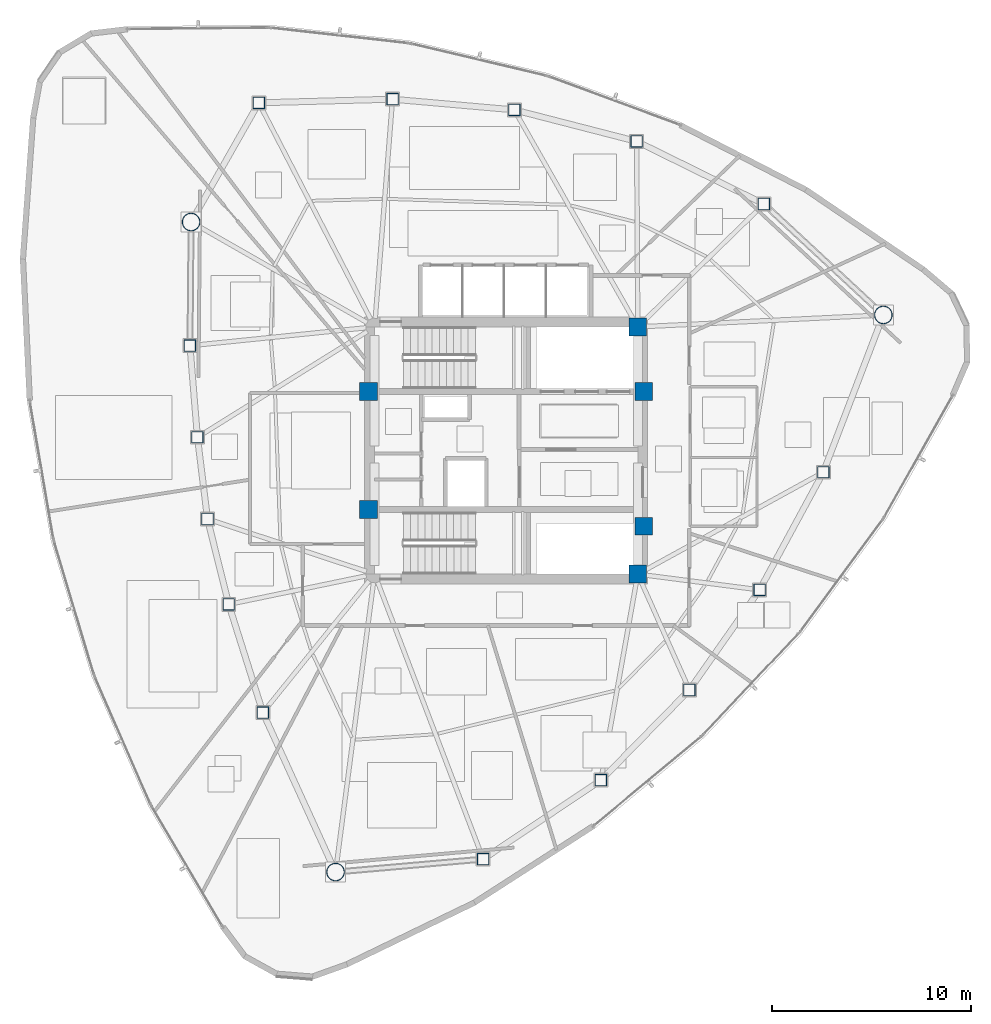
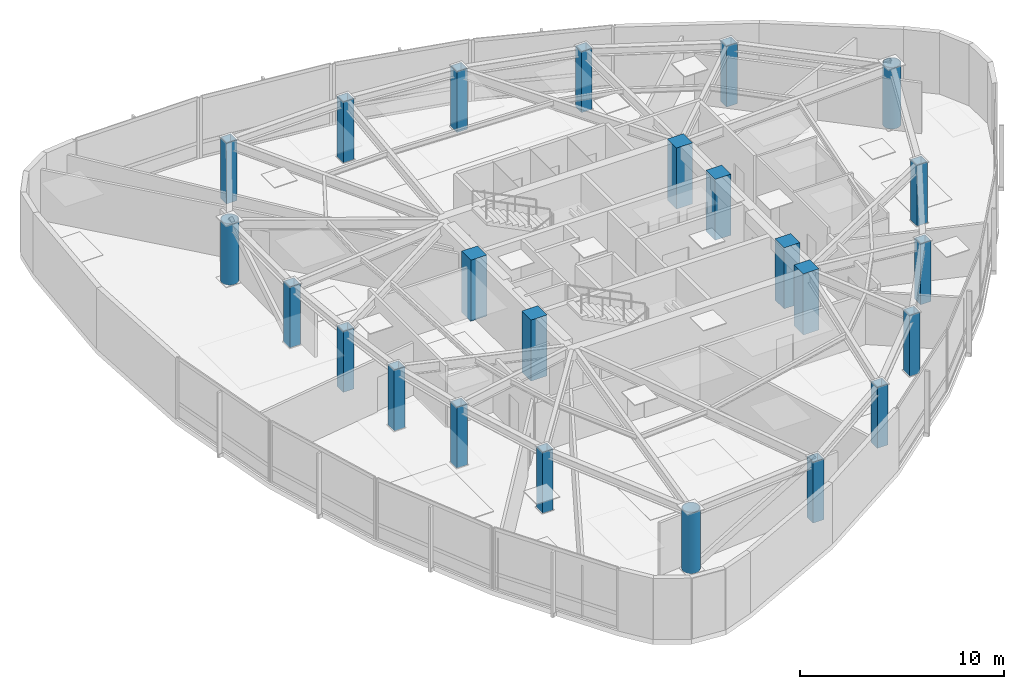
# One storey, part 1 of 15: 24 columns.
"""IFC4 building model written with IfcOpenShell, lengths in metres."""

from ifc_helpers import new_model, si_unit, direction, frame, origin, origin_2d, place, context, subcontext, project, spatial, rectangle, hollow_rectangle, hollow_circle, extrude, material, material_profile, profile_set, type_object, element, save


model = new_model("IFC4")

# Units and contexts
model_context = context("Model", 3, precision=1e-05, world=origin(), true_north=direction((0.0, 1.0)))
body_context = subcontext(model_context, "Body", "Model", "MODEL_VIEW")
ifc_project = project(units=[si_unit("LENGTHUNIT", "METRE"), si_unit("AREAUNIT", "SQUARE_METRE"), si_unit("VOLUMEUNIT", "CUBIC_METRE"), si_unit("PLANEANGLEUNIT", "RADIAN"), si_unit("MASSUNIT", "GRAM", prefix="KILO")], contexts=[model_context])

# Site, building, storey
site_placement = place(None, origin())
site = spatial("IfcSite", under=ifc_project, at=site_placement, CompositionType="ELEMENT")
building_placement = place(site_placement, origin())
building = spatial("IfcBuilding", under=site, at=building_placement, Name="Tavelor Broadcast Tower", CompositionType="ELEMENT")
storey_placement = place(building_placement, frame((0.0, 0.0, 222.14990234375)))
storey = spatial("IfcBuildingStorey", under=building, at=storey_placement, Name="L52", CompositionType="ELEMENT", Elevation=222.14990234375)

# Columns
ifc_material_1 = material(Name="Concrete C50/60", Category="concrete")
ifc_material_profile_1 = material_profile(ifc_material_1, rectangle(XDim=0.89990234375, YDim=0.89990234375, at=origin_2d()), Name="RC 900x900")
ifc_profile_set_1 = profile_set([ifc_material_profile_1], Name="Concrete C50/60")
column_type_1 = type_object("IfcColumnType", Name="Core Embedded Composite Column RC900", PredefinedType="COLUMN", material=ifc_profile_set_1)
for number, where, z_axis, x_axis, name in (
    (1, (43.10009765625, 47.949951171875, 0.0), (0.0, 0.0, 1.0), (1.0, 0.0, 0.0), "L52 Core Embedded Column 1"),
    (2, (56.89990234375, 47.949951171875, 0.0), (0.0, 0.0, 1.0), (1.0, 0.0, 0.0), "L52 Core Embedded Column 2"),
    (3, (56.60009765625, 51.199951171875, 0.0), (0.0, 0.0, 1.0), (1.0, 0.0, 0.0), "L52 Core Embedded Column 3"),
    (4, (43.10009765625, 42.050048828125, 0.0), (0.0, 0.0, 1.0), (1.0, 0.0, 0.0), "L52 Core Embedded Column 4"),
    (5, (56.89990234375, 41.199951171875, 0.0), (0.0, 0.0, 1.0), (1.0, 0.0, 0.0), "L52 Core Embedded Column 5"),
    (6, (56.60009765625, 38.800048828125, 0.0), (0.0, 0.0, 1.0), (1.0, 0.0, 0.0), "L52 Core Embedded Column 6"),
):
    element("IfcColumn", number, at=place(storey_placement, frame(where, z_axis=z_axis, x_axis=x_axis)), inside=storey, type_object=column_type_1, Name=name, PredefinedType="COLUMN", context=body_context, shape_type="SweptSolid", body=[
        extrude(rectangle(XDim=0.89990234375, YDim=0.89990234375, at=origin_2d()), origin(), (0.0, 0.0, 1.0), 3.650146484375),
    ])
ifc_material_2 = material(Name="Steel S460", Category="steel")
ifc_material_profile_2 = material_profile(ifc_material_2, hollow_rectangle(XDim=0.60009765625, YDim=0.60009765625, WallThickness=0.035888671875, at=origin_2d()), Name="SHS 600x600x36")
ifc_profile_set_2 = profile_set([ifc_material_profile_2], Name="Steel S460")
column_type_2 = type_object("IfcColumnType", Name="Perimeter Tube Column T5 SHS 600x600x36", PredefinedType="COLUMN", material=ifc_profile_set_2)
for number, where, z_axis, x_axis, name in (
    (7, (34.13720703125, 50.255859375, 0.0), (0.0, 0.0, 1.0), (1.0, 0.0, 0.0), "L52 Perimeter Framed-Tube Column 02"),
    (8, (34.513671875, 45.66455078125, 0.0), (0.0, 0.0, 1.0), (1.0, 0.0, 0.0), "L52 Perimeter Framed-Tube Column 03"),
    (9, (35.018798828125, 41.56396484375, 0.0), (0.0, 0.0, 1.0), (1.0, 0.0, 0.0), "L52 Perimeter Framed-Tube Column 04"),
    (10, (36.08349609375, 37.2822265625, 0.0), (0.0, 0.0, 1.0), (1.0, 0.0, 0.0), "L52 Perimeter Framed-Tube Column 05"),
    (11, (37.797119140625, 31.853271484375, 0.0), (0.0, 0.0, 1.0), (1.0, 0.0, 0.0), "L52 Perimeter Framed-Tube Column 06"),
    (12, (48.843994140625, 24.5048828125, 0.0), (0.0, 0.0, 1.0), (1.0, 0.0, 0.0), "L52 Perimeter Framed-Tube Column 08"),
    (13, (54.754150390625, 28.461669921875, 0.0), (0.0, 0.0, 1.0), (1.0, 0.0, 0.0), "L52 Perimeter Framed-Tube Column 09"),
    (14, (59.1923828125, 32.987060546875, 0.0), (0.0, 0.0, 1.0), (1.0, 0.0, 0.0), "L52 Perimeter Framed-Tube Column 10"),
    (15, (62.7109375, 38.009033203125, 0.0), (0.0, 0.0, 1.0), (1.0, 0.0, 0.0), "L52 Perimeter Framed-Tube Column 11"),
    (16, (65.9072265625, 43.909423828125, 0.0), (0.0, 0.0, 1.0), (1.0, 0.0, 0.0), "L52 Perimeter Framed-Tube Column 12"),
    (17, (62.92724609375, 57.364013671875, 0.0), (0.0, 0.0, 1.0), (1.0, 0.0, 0.0), "L52 Perimeter Framed-Tube Column 14"),
    (18, (56.545654296875, 60.504150390625, 0.0), (0.0, 0.0, 1.0), (1.0, 0.0, 0.0), "L52 Perimeter Framed-Tube Column 15"),
    (19, (50.4072265625, 62.0849609375, 0.0), (0.0, 0.0, 1.0), (1.0, 0.0, 0.0), "L52 Perimeter Framed-Tube Column 16"),
    (20, (44.298828125, 62.621337890625, 0.0), (0.0, 0.0, 1.0), (1.0, 0.0, 0.0), "L52 Perimeter Framed-Tube Column 17"),
    (21, (37.5908203125, 62.439208984375, 0.0), (0.0, 0.0, 1.0), (1.0, 0.0, 0.0), "L52 Perimeter Framed-Tube Column 18"),
):
    element("IfcColumn", number, at=place(storey_placement, frame(where, z_axis=z_axis, x_axis=x_axis)), inside=storey, type_object=column_type_2, Name=name, PredefinedType="COLUMN", context=body_context, shape_type="SweptSolid", body=[
        extrude(hollow_rectangle(XDim=0.60009765625, YDim=0.60009765625, WallThickness=0.035888671875, at=origin_2d()), origin(), (0.0, 0.0, 1.0), 3.650146484375),
    ])
ifc_material_profile_3 = material_profile(ifc_material_2, hollow_circle(Radius=0.45703125, WallThickness=0.0400390625, at=origin_2d()), Name="CHS 914x40")
ifc_profile_set_3 = profile_set([ifc_material_profile_3], Name="Steel S460")
column_type_3 = type_object("IfcColumnType", Name="Tower Mega Column T5 CHS 914x40", PredefinedType="COLUMN", material=ifc_profile_set_3)
for number, where, z_axis, x_axis, name in (
    (22, (34.1962890625, 56.4599609375, 0.0), (0.0, 0.0, 1.0), (1.0, 0.0, 0.0), "L52 Tower Corner Mega Column 01"),
    (23, (41.440185546875, 23.853759765625, 0.0), (0.0, 0.0, 1.0), (1.0, 0.0, 0.0), "L52 Tower Corner Mega Column 07"),
    (24, (68.919677734375, 51.799072265625, 0.0), (0.0, 0.0, 1.0), (1.0, 0.0, 0.0), "L52 Tower Corner Mega Column 13"),
):
    element("IfcColumn", number, at=place(storey_placement, frame(where, z_axis=z_axis, x_axis=x_axis)), inside=storey, type_object=column_type_3, Name=name, PredefinedType="COLUMN", context=body_context, shape_type="SweptSolid", body=[
        extrude(hollow_circle(Radius=0.45703125, WallThickness=0.0400390625, at=origin_2d()), origin(), (0.0, 0.0, 1.0), 3.650146484375),
    ])

save(model, "model.ifc")
